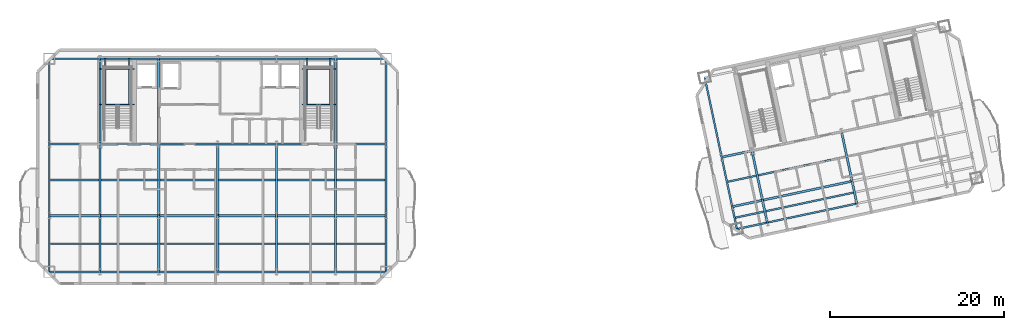
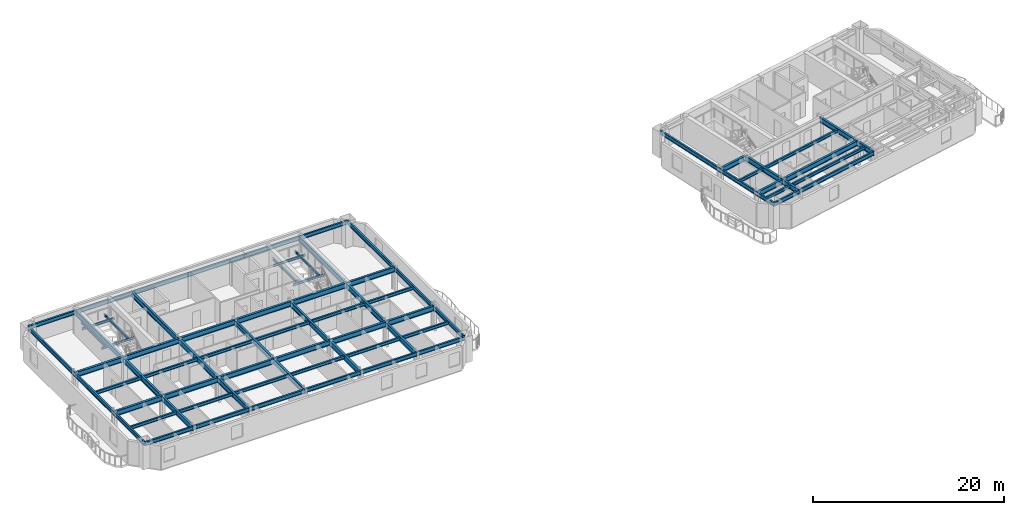
# One storey, part 3 of 13: 79 beams.
"""IFC4 building model written with IfcOpenShell, lengths in metres."""

from ifc_helpers import new_model, si_unit, direction, frame, origin, origin_2d, place, context, subcontext, project, spatial, i_section, extrude, material, material_profile, profile_set, type_object, element, save


model = new_model("IFC4")

# Units and contexts
model_context = context("Model", 3, precision=1e-05, world=origin(), true_north=direction((0.0, 1.0)))
body_context = subcontext(model_context, "Body", "Model", "MODEL_VIEW")
ifc_project = project(units=[si_unit("LENGTHUNIT", "METRE"), si_unit("AREAUNIT", "SQUARE_METRE"), si_unit("VOLUMEUNIT", "CUBIC_METRE"), si_unit("PLANEANGLEUNIT", "RADIAN"), si_unit("MASSUNIT", "GRAM", prefix="KILO")], contexts=[model_context])

# Site, building, storey
site_placement = place(None, origin())
site = spatial("IfcSite", under=ifc_project, at=site_placement, CompositionType="ELEMENT")
building_placement = place(site_placement, origin())
building = spatial("IfcBuilding", under=site, at=building_placement, Name="Haevon Station Towers", CompositionType="ELEMENT")
storey_placement = place(building_placement, frame((0.0, 0.0, 182.39990234375)))
storey = spatial("IfcBuildingStorey", under=building, at=storey_placement, Name="L50", CompositionType="ELEMENT", Elevation=182.39990234375)

# Beams
ifc_material = material(Name="Steel S355", Category="steel")
ifc_material_profile_1 = material_profile(ifc_material, i_section(OverallWidth=0.25, OverallDepth=0.64990234375, WebThickness=0.012939453125, FlangeThickness=0.02197265625, at=origin_2d()), Name="H-650x250x13x22")
ifc_profile_set_1 = profile_set([ifc_material_profile_1], Name="Steel S355")
beam_type_1 = type_object("IfcBeamType", Name="BM-G650", PredefinedType="BEAM", material=ifc_profile_set_1)
beam_1_placement = place(storey_placement, frame((18.199951171875, 30.0, 2.72509765625), z_axis=(1.0, 0.0, 0.0), x_axis=(0.0, 1.0, 0.0)))
element("IfcBeam", 1, at=beam_1_placement, inside=storey, type_object=beam_type_1, Name="BM-T1U-L50-02-01", PredefinedType="BEAM", context=body_context, shape_type="SweptSolid", body=[
    extrude(i_section(OverallWidth=0.25, OverallDepth=0.64990234375, WebThickness=0.012939453125, FlangeThickness=0.02197265625, at=origin_2d()), origin(), (0.0, 0.0, 1.0), 5.800048828125),
])
for number, where, z_axis, x_axis, name in (
    (2, (24.0, 30.0, 2.72509765625), (1.0, 0.0, 0.0), (0.0, 1.0, 0.0), "BM-T1U-L50-02-02"),
    (3, (30.75, 30.0, 2.72509765625), (1.0, 0.0, 0.0), (0.0, 1.0, 0.0), "BM-T1U-L50-02-03"),
    (4, (37.5, 30.0, 2.72509765625), (1.0, 0.0, 0.0), (0.0, 1.0, 0.0), "BM-T1U-L50-02-04"),
    (5, (44.25, 30.0, 2.72509765625), (1.0, 0.0, 0.0), (0.0, 1.0, 0.0), "BM-T1U-L50-02-05"),
):
    element("IfcBeam", number, at=place(storey_placement, frame(where, z_axis=z_axis, x_axis=x_axis)), inside=storey, type_object=beam_type_1, Name=name, PredefinedType="BEAM", context=body_context, shape_type="SweptSolid", body=[
        extrude(i_section(OverallWidth=0.25, OverallDepth=0.64990234375, WebThickness=0.012939453125, FlangeThickness=0.02197265625, at=origin_2d()), origin(), (0.0, 0.0, 1.0), 6.75),
    ])
for number, where, z_axis, x_axis, name in (
    (6, (51.0, 30.0, 2.72509765625), (1.0, 0.0, 0.0), (0.0, 1.0, 0.0), "BM-T1U-L50-02-06"),
    (7, (18.199951171875, 38.199951171875, 2.72509765625), (1.0, 0.0, 0.0), (0.0, 1.0, 0.0), "BM-T1U-L50-03-01"),
):
    element("IfcBeam", number, at=place(storey_placement, frame(where, z_axis=z_axis, x_axis=x_axis)), inside=storey, type_object=beam_type_1, Name=name, PredefinedType="BEAM", context=body_context, shape_type="SweptSolid", body=[
        extrude(i_section(OverallWidth=0.25, OverallDepth=0.64990234375, WebThickness=0.012939453125, FlangeThickness=0.02197265625, at=origin_2d()), origin(), (0.0, 0.0, 1.0), 5.800048828125),
    ])
for number, where, z_axis, x_axis, name in (
    (8, (24.0, 38.199951171875, 2.72509765625), (1.0, 0.0, 0.0), (0.0, 1.0, 0.0), "BM-T1U-L50-03-02"),
    (9, (30.75, 38.199951171875, 2.72509765625), (1.0, 0.0, 0.0), (0.0, 1.0, 0.0), "BM-T1U-L50-03-03"),
    (10, (37.5, 38.199951171875, 2.72509765625), (1.0, 0.0, 0.0), (0.0, 1.0, 0.0), "BM-T1U-L50-03-04"),
    (11, (44.25, 38.199951171875, 2.72509765625), (1.0, 0.0, 0.0), (0.0, 1.0, 0.0), "BM-T1U-L50-03-05"),
):
    element("IfcBeam", number, at=place(storey_placement, frame(where, z_axis=z_axis, x_axis=x_axis)), inside=storey, type_object=beam_type_1, Name=name, PredefinedType="BEAM", context=body_context, shape_type="SweptSolid", body=[
        extrude(i_section(OverallWidth=0.25, OverallDepth=0.64990234375, WebThickness=0.012939453125, FlangeThickness=0.02197265625, at=origin_2d()), origin(), (0.0, 0.0, 1.0), 6.75),
    ])
beam_2_placement = place(storey_placement, frame((51.0, 38.199951171875, 2.72509765625), z_axis=(1.0, 0.0, 0.0), x_axis=(0.0, 1.0, 0.0)))
element("IfcBeam", 12, at=beam_2_placement, inside=storey, type_object=beam_type_1, Name="BM-T1U-L50-03-06", PredefinedType="BEAM", context=body_context, shape_type="SweptSolid", body=[
    extrude(i_section(OverallWidth=0.25, OverallDepth=0.64990234375, WebThickness=0.012939453125, FlangeThickness=0.02197265625, at=origin_2d()), origin(), (0.0, 0.0, 1.0), 5.800048828125),
])
beam_3_placement = place(storey_placement, frame((24.0, 23.550048828125, 2.72509765625), z_axis=(0.0, 1.0, 0.0), x_axis=(-1.0, 0.0, 0.0)))
element("IfcBeam", 13, at=beam_3_placement, inside=storey, type_object=beam_type_1, Name="BM-T1V-L50-02-01", PredefinedType="BEAM", context=body_context, shape_type="SweptSolid", body=[
    extrude(i_section(OverallWidth=0.25, OverallDepth=0.64990234375, WebThickness=0.012939453125, FlangeThickness=0.02197265625, at=origin_2d()), origin(), (0.0, 0.0, 1.0), 6.449951171875),
])
beam_4_placement = place(storey_placement, frame((24.0, 30.0, 2.72509765625), z_axis=(0.0, 1.0, 0.0), x_axis=(-1.0, 0.0, 0.0)))
element("IfcBeam", 14, at=beam_4_placement, inside=storey, type_object=beam_type_1, Name="BM-T1V-L50-02-02", PredefinedType="BEAM", context=body_context, shape_type="SweptSolid", body=[
    extrude(i_section(OverallWidth=0.25, OverallDepth=0.64990234375, WebThickness=0.012939453125, FlangeThickness=0.02197265625, at=origin_2d()), origin(), (0.0, 0.0, 1.0), 8.199951171875),
])
beam_5_placement = place(storey_placement, frame((24.0, 38.199951171875, 2.72509765625), z_axis=(0.0, 1.0, 0.0), x_axis=(-1.0, 0.0, 0.0)))
element("IfcBeam", 15, at=beam_5_placement, inside=storey, type_object=beam_type_1, Name="BM-T1V-L50-02-03", PredefinedType="BEAM", context=body_context, shape_type="SweptSolid", body=[
    extrude(i_section(OverallWidth=0.25, OverallDepth=0.64990234375, WebThickness=0.012939453125, FlangeThickness=0.02197265625, at=origin_2d()), origin(), (0.0, 0.0, 1.0), 9.800048828125),
])
beam_6_placement = place(storey_placement, frame((30.75, 23.550048828125, 2.72509765625), z_axis=(0.0, 1.0, 0.0), x_axis=(-1.0, 0.0, 0.0)))
element("IfcBeam", 16, at=beam_6_placement, inside=storey, type_object=beam_type_1, Name="BM-T1V-L50-03-01", PredefinedType="BEAM", context=body_context, shape_type="SweptSolid", body=[
    extrude(i_section(OverallWidth=0.25, OverallDepth=0.64990234375, WebThickness=0.012939453125, FlangeThickness=0.02197265625, at=origin_2d()), origin(), (0.0, 0.0, 1.0), 6.449951171875),
])
beam_7_placement = place(storey_placement, frame((30.75, 30.0, 2.72509765625), z_axis=(0.0, 1.0, 0.0), x_axis=(-1.0, 0.0, 0.0)))
element("IfcBeam", 17, at=beam_7_placement, inside=storey, type_object=beam_type_1, Name="BM-T1V-L50-03-02", PredefinedType="BEAM", context=body_context, shape_type="SweptSolid", body=[
    extrude(i_section(OverallWidth=0.25, OverallDepth=0.64990234375, WebThickness=0.012939453125, FlangeThickness=0.02197265625, at=origin_2d()), origin(), (0.0, 0.0, 1.0), 8.199951171875),
])
beam_8_placement = place(storey_placement, frame((30.75, 38.199951171875, 2.72509765625), z_axis=(0.0, 1.0, 0.0), x_axis=(-1.0, 0.0, 0.0)))
element("IfcBeam", 18, at=beam_8_placement, inside=storey, type_object=beam_type_1, Name="BM-T1V-L50-03-03", PredefinedType="BEAM", context=body_context, shape_type="SweptSolid", body=[
    extrude(i_section(OverallWidth=0.25, OverallDepth=0.64990234375, WebThickness=0.012939453125, FlangeThickness=0.02197265625, at=origin_2d()), origin(), (0.0, 0.0, 1.0), 9.800048828125),
])
beam_9_placement = place(storey_placement, frame((37.5, 23.550048828125, 2.72509765625), z_axis=(0.0, 1.0, 0.0), x_axis=(-1.0, 0.0, 0.0)))
element("IfcBeam", 19, at=beam_9_placement, inside=storey, type_object=beam_type_1, Name="BM-T1V-L50-04-01", PredefinedType="BEAM", context=body_context, shape_type="SweptSolid", body=[
    extrude(i_section(OverallWidth=0.25, OverallDepth=0.64990234375, WebThickness=0.012939453125, FlangeThickness=0.02197265625, at=origin_2d()), origin(), (0.0, 0.0, 1.0), 6.449951171875),
])
beam_10_placement = place(storey_placement, frame((37.5, 30.0, 2.72509765625), z_axis=(0.0, 1.0, 0.0), x_axis=(-1.0, 0.0, 0.0)))
element("IfcBeam", 20, at=beam_10_placement, inside=storey, type_object=beam_type_1, Name="BM-T1V-L50-04-02", PredefinedType="BEAM", context=body_context, shape_type="SweptSolid", body=[
    extrude(i_section(OverallWidth=0.25, OverallDepth=0.64990234375, WebThickness=0.012939453125, FlangeThickness=0.02197265625, at=origin_2d()), origin(), (0.0, 0.0, 1.0), 8.199951171875),
])
beam_11_placement = place(storey_placement, frame((44.25, 23.550048828125, 2.72509765625), z_axis=(0.0, 1.0, 0.0), x_axis=(-1.0, 0.0, 0.0)))
element("IfcBeam", 21, at=beam_11_placement, inside=storey, type_object=beam_type_1, Name="BM-T1V-L50-05-01", PredefinedType="BEAM", context=body_context, shape_type="SweptSolid", body=[
    extrude(i_section(OverallWidth=0.25, OverallDepth=0.64990234375, WebThickness=0.012939453125, FlangeThickness=0.02197265625, at=origin_2d()), origin(), (0.0, 0.0, 1.0), 6.449951171875),
])
beam_12_placement = place(storey_placement, frame((44.25, 30.0, 2.72509765625), z_axis=(0.0, 1.0, 0.0), x_axis=(-1.0, 0.0, 0.0)))
element("IfcBeam", 22, at=beam_12_placement, inside=storey, type_object=beam_type_1, Name="BM-T1V-L50-05-02", PredefinedType="BEAM", context=body_context, shape_type="SweptSolid", body=[
    extrude(i_section(OverallWidth=0.25, OverallDepth=0.64990234375, WebThickness=0.012939453125, FlangeThickness=0.02197265625, at=origin_2d()), origin(), (0.0, 0.0, 1.0), 8.199951171875),
])
beam_13_placement = place(storey_placement, frame((51.0, 23.550048828125, 2.72509765625), z_axis=(0.0, 1.0, 0.0), x_axis=(-1.0, 0.0, 0.0)))
element("IfcBeam", 23, at=beam_13_placement, inside=storey, type_object=beam_type_1, Name="BM-T1V-L50-06-01", PredefinedType="BEAM", context=body_context, shape_type="SweptSolid", body=[
    extrude(i_section(OverallWidth=0.25, OverallDepth=0.64990234375, WebThickness=0.012939453125, FlangeThickness=0.02197265625, at=origin_2d()), origin(), (0.0, 0.0, 1.0), 6.449951171875),
])
beam_14_placement = place(storey_placement, frame((51.0, 30.0, 2.72509765625), z_axis=(0.0, 1.0, 0.0), x_axis=(-1.0, 0.0, 0.0)))
element("IfcBeam", 24, at=beam_14_placement, inside=storey, type_object=beam_type_1, Name="BM-T1V-L50-06-02", PredefinedType="BEAM", context=body_context, shape_type="SweptSolid", body=[
    extrude(i_section(OverallWidth=0.25, OverallDepth=0.64990234375, WebThickness=0.012939453125, FlangeThickness=0.02197265625, at=origin_2d()), origin(), (0.0, 0.0, 1.0), 8.199951171875),
])
beam_15_placement = place(storey_placement, frame((51.0, 38.199951171875, 2.72509765625), z_axis=(0.0, 1.0, 0.0), x_axis=(-1.0, 0.0, 0.0)))
element("IfcBeam", 25, at=beam_15_placement, inside=storey, type_object=beam_type_1, Name="BM-T1V-L50-06-03", PredefinedType="BEAM", context=body_context, shape_type="SweptSolid", body=[
    extrude(i_section(OverallWidth=0.25, OverallDepth=0.64990234375, WebThickness=0.012939453125, FlangeThickness=0.02197265625, at=origin_2d()), origin(), (0.0, 0.0, 1.0), 9.800048828125),
])
beam_16_placement = place(storey_placement, frame((96.48583984375, 31.031005859375, 2.72509765625), z_axis=(0.978150285663, 0.207899058817, 0.0), x_axis=(-0.207899058817, 0.978150285663, 0.0)))
element("IfcBeam", 26, at=beam_16_placement, inside=storey, type_object=beam_type_1, Name="BM-T2U-L50-02-01", PredefinedType="BEAM", context=body_context, shape_type="SweptSolid", body=[
    extrude(i_section(OverallWidth=0.25, OverallDepth=0.64990234375, WebThickness=0.012939453125, FlangeThickness=0.02197265625, at=origin_2d()), origin(), (0.0, 0.0, 1.0), 3.550048828125),
])
beam_17_placement = place(storey_placement, frame((99.958251953125, 31.76904296875, 2.72509765625), z_axis=(0.978146794194, 0.207915485254, 0.0), x_axis=(-0.207915485254, 0.978146794194, 0.0)))
element("IfcBeam", 27, at=beam_17_placement, inside=storey, type_object=beam_type_1, Name="BM-T2U-L50-02-02", PredefinedType="BEAM", context=body_context, shape_type="SweptSolid", body=[
    extrude(i_section(OverallWidth=0.25, OverallDepth=0.64990234375, WebThickness=0.012939453125, FlangeThickness=0.02197265625, at=origin_2d()), origin(), (0.0, 0.0, 1.0), 10.5),
])
beam_18_placement = place(storey_placement, frame((95.280029296875, 36.704345703125, 2.72509765625), z_axis=(0.978150285663, 0.207899058817, 0.0), x_axis=(-0.207899058817, 0.978150285663, 0.0)))
element("IfcBeam", 28, at=beam_18_placement, inside=storey, type_object=beam_type_1, Name="BM-T2U-L50-03-01", PredefinedType="BEAM", context=body_context, shape_type="SweptSolid", body=[
    extrude(i_section(OverallWidth=0.25, OverallDepth=0.64990234375, WebThickness=0.012939453125, FlangeThickness=0.02197265625, at=origin_2d()), origin(), (0.0, 0.0, 1.0), 3.550048828125),
])
beam_19_placement = place(storey_placement, frame((100.5029296875, 29.206298828125, 2.72509765625), z_axis=(-0.207893304367, 0.978151508714, 0.0), x_axis=(-0.978151508714, -0.207893304367, 0.0)))
element("IfcBeam", 29, at=beam_19_placement, inside=storey, type_object=beam_type_1, Name="BM-T2V-L50-02-01", PredefinedType="BEAM", context=body_context, shape_type="SweptSolid", body=[
    extrude(i_section(OverallWidth=0.25, OverallDepth=0.64990234375, WebThickness=0.012939453125, FlangeThickness=0.02197265625, at=origin_2d()), origin(), (0.0, 0.0, 1.0), 2.619873046875),
])
beam_20_placement = place(storey_placement, frame((99.958251953125, 31.76904296875, 2.72509765625), z_axis=(-0.207896009217, 0.97815093383, 0.0), x_axis=(-0.97815093383, -0.207896009217, 0.0)))
element("IfcBeam", 30, at=beam_20_placement, inside=storey, type_object=beam_type_1, Name="BM-T2V-L50-02-02", PredefinedType="BEAM", context=body_context, shape_type="SweptSolid", body=[
    extrude(i_section(OverallWidth=0.25, OverallDepth=0.64990234375, WebThickness=0.012939453125, FlangeThickness=0.02197265625, at=origin_2d()), origin(), (0.0, 0.0, 1.0), 5.800048828125),
])
beam_21_placement = place(storey_placement, frame((110.7734375, 31.389404296875, 2.72509765625), z_axis=(-0.207893304367, 0.978151508714, 0.0), x_axis=(-0.978151508714, -0.207893304367, 0.0)))
element("IfcBeam", 31, at=beam_21_placement, inside=storey, type_object=beam_type_1, Name="BM-T2V-L50-03-01", PredefinedType="BEAM", context=body_context, shape_type="SweptSolid", body=[
    extrude(i_section(OverallWidth=0.25, OverallDepth=0.64990234375, WebThickness=0.012939453125, FlangeThickness=0.02197265625, at=origin_2d()), origin(), (0.0, 0.0, 1.0), 2.619873046875),
])
beam_22_placement = place(storey_placement, frame((110.228759765625, 33.9521484375, 2.72509765625), z_axis=(-0.207896009217, 0.97815093383, 0.0), x_axis=(-0.97815093383, -0.207896009217, 0.0)))
element("IfcBeam", 32, at=beam_22_placement, inside=storey, type_object=beam_type_1, Name="BM-T2V-L50-03-02", PredefinedType="BEAM", context=body_context, shape_type="SweptSolid", body=[
    extrude(i_section(OverallWidth=0.25, OverallDepth=0.64990234375, WebThickness=0.012939453125, FlangeThickness=0.02197265625, at=origin_2d()), origin(), (0.0, 0.0, 1.0), 5.800048828125),
])
ifc_material_profile_2 = material_profile(ifc_material, i_section(OverallWidth=0.199951171875, OverallDepth=0.39990234375, WebThickness=0.008056640625, FlangeThickness=0.012939453125, at=origin_2d()), Name="H-400x200x8x13")
ifc_profile_set_2 = profile_set([ifc_material_profile_2], Name="Steel S355")
beam_type_2 = type_object("IfcBeamType", Name="BM-J400", PredefinedType="JOIST", material=ifc_profile_set_2)
beam_23_placement = place(storey_placement, frame((18.31005859375, 26.77490234375, 2.85009765625), z_axis=(1.0, 0.0, 0.0), x_axis=(0.0, 1.0, 0.0)))
element("IfcBeam", 33, at=beam_23_placement, inside=storey, type_object=beam_type_2, Name="BM-T1J-L50-01-01", PredefinedType="JOIST", context=body_context, shape_type="SweptSolid", body=[
    extrude(i_section(OverallWidth=0.199951171875, OverallDepth=0.39990234375, WebThickness=0.008056640625, FlangeThickness=0.012939453125, at=origin_2d()), origin(), (0.0, 0.0, 1.0), 5.579833984375),
])
for number, where, z_axis, x_axis, name in (
    (34, (24.110107421875, 26.77490234375, 2.85009765625), (1.0, 0.0, 0.0), (0.0, 1.0, 0.0), "BM-T1J-L50-01-02"),
    (35, (30.860107421875, 26.77490234375, 2.85009765625), (1.0, 0.0, 0.0), (0.0, 1.0, 0.0), "BM-T1J-L50-01-03"),
    (36, (37.610107421875, 26.77490234375, 2.85009765625), (1.0, 0.0, 0.0), (0.0, 1.0, 0.0), "BM-T1J-L50-01-04"),
    (37, (44.360107421875, 26.77490234375, 2.85009765625), (1.0, 0.0, 0.0), (0.0, 1.0, 0.0), "BM-T1J-L50-01-05"),
):
    element("IfcBeam", number, at=place(storey_placement, frame(where, z_axis=z_axis, x_axis=x_axis)), inside=storey, type_object=beam_type_2, Name=name, PredefinedType="JOIST", context=body_context, shape_type="SweptSolid", body=[
        extrude(i_section(OverallWidth=0.199951171875, OverallDepth=0.39990234375, WebThickness=0.008056640625, FlangeThickness=0.012939453125, at=origin_2d()), origin(), (0.0, 0.0, 1.0), 6.52978515625),
    ])
for number, where, z_axis, x_axis, name in (
    (38, (51.110107421875, 26.77490234375, 2.85009765625), (1.0, 0.0, 0.0), (0.0, 1.0, 0.0), "BM-T1J-L50-01-06"),
    (39, (18.31005859375, 34.10009765625, 2.85009765625), (1.0, 0.0, 0.0), (0.0, 1.0, 0.0), "BM-T1J-L50-02-01"),
):
    element("IfcBeam", number, at=place(storey_placement, frame(where, z_axis=z_axis, x_axis=x_axis)), inside=storey, type_object=beam_type_2, Name=name, PredefinedType="JOIST", context=body_context, shape_type="SweptSolid", body=[
        extrude(i_section(OverallWidth=0.199951171875, OverallDepth=0.39990234375, WebThickness=0.008056640625, FlangeThickness=0.012939453125, at=origin_2d()), origin(), (0.0, 0.0, 1.0), 5.579833984375),
    ])
for number, where, z_axis, x_axis, name in (
    (40, (24.110107421875, 34.10009765625, 2.85009765625), (1.0, 0.0, 0.0), (0.0, 1.0, 0.0), "BM-T1J-L50-02-02"),
    (41, (30.860107421875, 34.10009765625, 2.85009765625), (1.0, 0.0, 0.0), (0.0, 1.0, 0.0), "BM-T1J-L50-02-03"),
    (42, (37.610107421875, 34.10009765625, 2.85009765625), (1.0, 0.0, 0.0), (0.0, 1.0, 0.0), "BM-T1J-L50-02-04"),
    (43, (44.360107421875, 34.10009765625, 2.85009765625), (1.0, 0.0, 0.0), (0.0, 1.0, 0.0), "BM-T1J-L50-02-05"),
):
    element("IfcBeam", number, at=place(storey_placement, frame(where, z_axis=z_axis, x_axis=x_axis)), inside=storey, type_object=beam_type_2, Name=name, PredefinedType="JOIST", context=body_context, shape_type="SweptSolid", body=[
        extrude(i_section(OverallWidth=0.199951171875, OverallDepth=0.39990234375, WebThickness=0.008056640625, FlangeThickness=0.012939453125, at=origin_2d()), origin(), (0.0, 0.0, 1.0), 6.52978515625),
    ])
beam_24_placement = place(storey_placement, frame((51.110107421875, 34.10009765625, 2.85009765625), z_axis=(1.0, 0.0, 0.0), x_axis=(0.0, 1.0, 0.0)))
element("IfcBeam", 44, at=beam_24_placement, inside=storey, type_object=beam_type_2, Name="BM-T1J-L50-02-06", PredefinedType="JOIST", context=body_context, shape_type="SweptSolid", body=[
    extrude(i_section(OverallWidth=0.199951171875, OverallDepth=0.39990234375, WebThickness=0.008056640625, FlangeThickness=0.012939453125, at=origin_2d()), origin(), (0.0, 0.0, 1.0), 5.579833984375),
])
beam_25_placement = place(storey_placement, frame((96.86572265625, 29.7724609375, 2.85009765625), z_axis=(0.978146551768, 0.207916625754, 0.0), x_axis=(-0.207916625754, 0.978146551768, 0.0)))
element("IfcBeam", 45, at=beam_25_placement, inside=storey, type_object=beam_type_2, Name="BM-T2J-L50-01-01", PredefinedType="JOIST", context=body_context, shape_type="SweptSolid", body=[
    extrude(i_section(OverallWidth=0.199951171875, OverallDepth=0.39990234375, WebThickness=0.008056640625, FlangeThickness=0.012939453125, at=origin_2d()), origin(), (0.0, 0.0, 1.0), 3.330078125),
])
beam_26_placement = place(storey_placement, frame((100.338134765625, 30.5107421875, 2.85009765625), z_axis=(0.978150339653, 0.207898804801, 0.0), x_axis=(-0.207898804801, 0.978150339653, 0.0)))
element("IfcBeam", 46, at=beam_26_placement, inside=storey, type_object=beam_type_2, Name="BM-T2J-L50-01-02", PredefinedType="JOIST", context=body_context, shape_type="SweptSolid", body=[
    extrude(i_section(OverallWidth=0.199951171875, OverallDepth=0.39990234375, WebThickness=0.008056640625, FlangeThickness=0.012939453125, at=origin_2d()), origin(), (0.0, 0.0, 1.0), 10.280029296875),
])
beam_27_placement = place(storey_placement, frame((95.990478515625, 33.890625, 2.85009765625), z_axis=(0.978146551768, 0.207916625754, 0.0), x_axis=(-0.207916625754, 0.978146551768, 0.0)))
element("IfcBeam", 47, at=beam_27_placement, inside=storey, type_object=beam_type_2, Name="BM-T2J-L50-02-01", PredefinedType="JOIST", context=body_context, shape_type="SweptSolid", body=[
    extrude(i_section(OverallWidth=0.199951171875, OverallDepth=0.39990234375, WebThickness=0.008056640625, FlangeThickness=0.012939453125, at=origin_2d()), origin(), (0.0, 0.0, 1.0), 3.330078125),
])
beam_28_placement = place(storey_placement, frame((99.462890625, 34.628662109375, 2.85009765625), z_axis=(0.978150339653, 0.207898804801, 0.0), x_axis=(-0.207898804801, 0.978150339653, 0.0)))
element("IfcBeam", 48, at=beam_28_placement, inside=storey, type_object=beam_type_2, Name="BM-T2J-L50-02-02", PredefinedType="JOIST", context=body_context, shape_type="SweptSolid", body=[
    extrude(i_section(OverallWidth=0.199951171875, OverallDepth=0.39990234375, WebThickness=0.008056640625, FlangeThickness=0.012939453125, at=origin_2d()), origin(), (0.0, 0.0, 1.0), 10.280029296875),
])
ifc_material_profile_3 = material_profile(ifc_material, i_section(OverallWidth=0.14990234375, OverallDepth=0.300048828125, WebThickness=0.006591796875, FlangeThickness=0.009033203125, at=origin_2d()), Name="H-300x150x6.5x9")
ifc_profile_set_3 = profile_set([ifc_material_profile_3], Name="Steel S355")
beam_type_3 = type_object("IfcBeamType", Name="BM-LIN300", PredefinedType="LINTEL", material=ifc_profile_set_3)
for number, where, z_axis, x_axis, name in (
    (49, (24.0, 42.743896484375, 1.300048828125), (1.0, 0.0, 0.0), (0.0, 1.0, 0.0), "BM-ST1L-L50-1-S"),
    (50, (24.0, 46.820068359375, 1.300048828125), (1.0, 0.0, 0.0), (0.0, 1.0, 0.0), "BM-ST1L-L50-1-N"),
):
    element("IfcBeam", number, at=place(storey_placement, frame(where, z_axis=z_axis, x_axis=x_axis)), inside=storey, type_object=beam_type_3, Name=name, PredefinedType="LINTEL", context=body_context, shape_type="SweptSolid", body=[
        extrude(i_section(OverallWidth=0.14990234375, OverallDepth=0.300048828125, WebThickness=0.006591796875, FlangeThickness=0.009033203125, at=origin_2d()), origin(), (0.0, 0.0, 1.0), 3.949951171875),
    ])
for number, where, z_axis, x_axis, name in (
    (51, (24.60009765625, 42.743896484375, 1.300048828125), (0.0, 1.0, 0.0), (-1.0, 0.0, 0.0), "BM-ST1L-L50-1-W"),
    (52, (27.35009765625, 42.743896484375, 1.300048828125), (0.0, 1.0, 0.0), (-1.0, 0.0, 0.0), "BM-ST1L-L50-1-E"),
):
    element("IfcBeam", number, at=place(storey_placement, frame(where, z_axis=z_axis, x_axis=x_axis)), inside=storey, type_object=beam_type_3, Name=name, PredefinedType="LINTEL", context=body_context, shape_type="SweptSolid", body=[
        extrude(i_section(OverallWidth=0.14990234375, OverallDepth=0.300048828125, WebThickness=0.006591796875, FlangeThickness=0.009033203125, at=origin_2d()), origin(), (0.0, 0.0, 1.0), 5.256103515625),
    ])
for number, where, z_axis, x_axis, name in (
    (53, (47.14990234375, 42.743896484375, 1.300048828125), (1.0, 0.0, 0.0), (0.0, 1.0, 0.0), "BM-ST2L-L50-1-S"),
    (54, (47.14990234375, 46.820068359375, 1.300048828125), (1.0, 0.0, 0.0), (0.0, 1.0, 0.0), "BM-ST2L-L50-1-N"),
):
    element("IfcBeam", number, at=place(storey_placement, frame(where, z_axis=z_axis, x_axis=x_axis)), inside=storey, type_object=beam_type_3, Name=name, PredefinedType="LINTEL", context=body_context, shape_type="SweptSolid", body=[
        extrude(i_section(OverallWidth=0.14990234375, OverallDepth=0.300048828125, WebThickness=0.006591796875, FlangeThickness=0.009033203125, at=origin_2d()), origin(), (0.0, 0.0, 1.0), 3.85009765625),
    ])
for number, where, z_axis, x_axis, name in (
    (55, (47.75, 42.743896484375, 1.300048828125), (0.0, 1.0, 0.0), (-1.0, 0.0, 0.0), "BM-ST2L-L50-1-W"),
    (56, (50.39990234375, 42.743896484375, 1.300048828125), (0.0, 1.0, 0.0), (-1.0, 0.0, 0.0), "BM-ST2L-L50-1-E"),
):
    element("IfcBeam", number, at=place(storey_placement, frame(where, z_axis=z_axis, x_axis=x_axis)), inside=storey, type_object=beam_type_3, Name=name, PredefinedType="LINTEL", context=body_context, shape_type="SweptSolid", body=[
        extrude(i_section(OverallWidth=0.14990234375, OverallDepth=0.300048828125, WebThickness=0.006591796875, FlangeThickness=0.009033203125, at=origin_2d()), origin(), (0.0, 0.0, 1.0), 5.256103515625),
    ])
ifc_material_profile_4 = material_profile(ifc_material, i_section(OverallWidth=0.199951171875, OverallDepth=0.5, WebThickness=0.010009765625, FlangeThickness=0.01611328125, at=origin_2d()), Name="H-500x200x10x16")
ifc_profile_set_4 = profile_set([ifc_material_profile_4], Name="Steel S355")
beam_type_4 = type_object("IfcBeamType", Name="BM-SP500", PredefinedType="SPANDREL", material=ifc_profile_set_4)
beam_29_placement = place(storey_placement, frame((18.199951171875, 23.550048828125, 2.800048828125), z_axis=(1.0, 0.0, 0.0), x_axis=(0.0, 1.0, 0.0)))
element("IfcBeam", 57, at=beam_29_placement, inside=storey, type_object=beam_type_4, Name="BM-T1U-L50-01-01", PredefinedType="SPANDREL", context=body_context, shape_type="SweptSolid", body=[
    extrude(i_section(OverallWidth=0.199951171875, OverallDepth=0.5, WebThickness=0.010009765625, FlangeThickness=0.01611328125, at=origin_2d()), origin(), (0.0, 0.0, 1.0), 5.800048828125),
])
for number, where, z_axis, x_axis, name in (
    (58, (24.0, 23.550048828125, 2.800048828125), (1.0, 0.0, 0.0), (0.0, 1.0, 0.0), "BM-T1U-L50-01-02"),
    (59, (30.75, 23.550048828125, 2.800048828125), (1.0, 0.0, 0.0), (0.0, 1.0, 0.0), "BM-T1U-L50-01-03"),
    (60, (37.5, 23.550048828125, 2.800048828125), (1.0, 0.0, 0.0), (0.0, 1.0, 0.0), "BM-T1U-L50-01-04"),
    (61, (44.25, 23.550048828125, 2.800048828125), (1.0, 0.0, 0.0), (0.0, 1.0, 0.0), "BM-T1U-L50-01-05"),
):
    element("IfcBeam", number, at=place(storey_placement, frame(where, z_axis=z_axis, x_axis=x_axis)), inside=storey, type_object=beam_type_4, Name=name, PredefinedType="SPANDREL", context=body_context, shape_type="SweptSolid", body=[
        extrude(i_section(OverallWidth=0.199951171875, OverallDepth=0.5, WebThickness=0.010009765625, FlangeThickness=0.01611328125, at=origin_2d()), origin(), (0.0, 0.0, 1.0), 6.75),
    ])
for number, where, z_axis, x_axis, name in (
    (62, (51.0, 23.550048828125, 2.800048828125), (1.0, 0.0, 0.0), (0.0, 1.0, 0.0), "BM-T1U-L50-01-06"),
    (63, (18.199951171875, 48.0, 2.800048828125), (1.0, 0.0, 0.0), (0.0, 1.0, 0.0), "BM-T1U-L50-04-01"),
):
    element("IfcBeam", number, at=place(storey_placement, frame(where, z_axis=z_axis, x_axis=x_axis)), inside=storey, type_object=beam_type_4, Name=name, PredefinedType="SPANDREL", context=body_context, shape_type="SweptSolid", body=[
        extrude(i_section(OverallWidth=0.199951171875, OverallDepth=0.5, WebThickness=0.010009765625, FlangeThickness=0.01611328125, at=origin_2d()), origin(), (0.0, 0.0, 1.0), 5.800048828125),
    ])
for number, where, z_axis, x_axis, name in (
    (64, (24.0, 48.0, 2.800048828125), (1.0, 0.0, 0.0), (0.0, 1.0, 0.0), "BM-T1U-L50-04-02"),
    (65, (30.75, 48.0, 2.800048828125), (1.0, 0.0, 0.0), (0.0, 1.0, 0.0), "BM-T1U-L50-04-03"),
    (66, (37.5, 48.0, 2.800048828125), (1.0, 0.0, 0.0), (0.0, 1.0, 0.0), "BM-T1U-L50-04-04"),
    (67, (44.25, 48.0, 2.800048828125), (1.0, 0.0, 0.0), (0.0, 1.0, 0.0), "BM-T1U-L50-04-05"),
):
    element("IfcBeam", number, at=place(storey_placement, frame(where, z_axis=z_axis, x_axis=x_axis)), inside=storey, type_object=beam_type_4, Name=name, PredefinedType="SPANDREL", context=body_context, shape_type="SweptSolid", body=[
        extrude(i_section(OverallWidth=0.199951171875, OverallDepth=0.5, WebThickness=0.010009765625, FlangeThickness=0.01611328125, at=origin_2d()), origin(), (0.0, 0.0, 1.0), 6.75),
    ])
beam_30_placement = place(storey_placement, frame((51.0, 48.0, 2.800048828125), z_axis=(1.0, 0.0, 0.0), x_axis=(0.0, 1.0, 0.0)))
element("IfcBeam", 68, at=beam_30_placement, inside=storey, type_object=beam_type_4, Name="BM-T1U-L50-04-06", PredefinedType="SPANDREL", context=body_context, shape_type="SweptSolid", body=[
    extrude(i_section(OverallWidth=0.199951171875, OverallDepth=0.5, WebThickness=0.010009765625, FlangeThickness=0.01611328125, at=origin_2d()), origin(), (0.0, 0.0, 1.0), 5.800048828125),
])
beam_31_placement = place(storey_placement, frame((18.199951171875, 23.550048828125, 2.800048828125), z_axis=(0.0, 1.0, 0.0), x_axis=(-1.0, 0.0, 0.0)))
element("IfcBeam", 69, at=beam_31_placement, inside=storey, type_object=beam_type_4, Name="BM-T1V-L50-01-01", PredefinedType="SPANDREL", context=body_context, shape_type="SweptSolid", body=[
    extrude(i_section(OverallWidth=0.199951171875, OverallDepth=0.5, WebThickness=0.010009765625, FlangeThickness=0.01611328125, at=origin_2d()), origin(), (0.0, 0.0, 1.0), 6.449951171875),
])
beam_32_placement = place(storey_placement, frame((18.199951171875, 30.0, 2.800048828125), z_axis=(0.0, 1.0, 0.0), x_axis=(-1.0, 0.0, 0.0)))
element("IfcBeam", 70, at=beam_32_placement, inside=storey, type_object=beam_type_4, Name="BM-T1V-L50-01-02", PredefinedType="SPANDREL", context=body_context, shape_type="SweptSolid", body=[
    extrude(i_section(OverallWidth=0.199951171875, OverallDepth=0.5, WebThickness=0.010009765625, FlangeThickness=0.01611328125, at=origin_2d()), origin(), (0.0, 0.0, 1.0), 8.199951171875),
])
beam_33_placement = place(storey_placement, frame((18.199951171875, 38.199951171875, 2.800048828125), z_axis=(0.0, 1.0, 0.0), x_axis=(-1.0, 0.0, 0.0)))
element("IfcBeam", 71, at=beam_33_placement, inside=storey, type_object=beam_type_4, Name="BM-T1V-L50-01-03", PredefinedType="SPANDREL", context=body_context, shape_type="SweptSolid", body=[
    extrude(i_section(OverallWidth=0.199951171875, OverallDepth=0.5, WebThickness=0.010009765625, FlangeThickness=0.01611328125, at=origin_2d()), origin(), (0.0, 0.0, 1.0), 9.800048828125),
])
beam_34_placement = place(storey_placement, frame((56.800048828125, 23.550048828125, 2.800048828125), z_axis=(0.0, 1.0, 0.0), x_axis=(-1.0, 0.0, 0.0)))
element("IfcBeam", 72, at=beam_34_placement, inside=storey, type_object=beam_type_4, Name="BM-T1V-L50-07-01", PredefinedType="SPANDREL", context=body_context, shape_type="SweptSolid", body=[
    extrude(i_section(OverallWidth=0.199951171875, OverallDepth=0.5, WebThickness=0.010009765625, FlangeThickness=0.01611328125, at=origin_2d()), origin(), (0.0, 0.0, 1.0), 6.449951171875),
])
beam_35_placement = place(storey_placement, frame((56.800048828125, 30.0, 2.800048828125), z_axis=(0.0, 1.0, 0.0), x_axis=(-1.0, 0.0, 0.0)))
element("IfcBeam", 73, at=beam_35_placement, inside=storey, type_object=beam_type_4, Name="BM-T1V-L50-07-02", PredefinedType="SPANDREL", context=body_context, shape_type="SweptSolid", body=[
    extrude(i_section(OverallWidth=0.199951171875, OverallDepth=0.5, WebThickness=0.010009765625, FlangeThickness=0.01611328125, at=origin_2d()), origin(), (0.0, 0.0, 1.0), 8.199951171875),
])
beam_36_placement = place(storey_placement, frame((56.800048828125, 38.199951171875, 2.800048828125), z_axis=(0.0, 1.0, 0.0), x_axis=(-1.0, 0.0, 0.0)))
element("IfcBeam", 74, at=beam_36_placement, inside=storey, type_object=beam_type_4, Name="BM-T1V-L50-07-03", PredefinedType="SPANDREL", context=body_context, shape_type="SweptSolid", body=[
    extrude(i_section(OverallWidth=0.199951171875, OverallDepth=0.5, WebThickness=0.010009765625, FlangeThickness=0.01611328125, at=origin_2d()), origin(), (0.0, 0.0, 1.0), 9.800048828125),
])
beam_37_placement = place(storey_placement, frame((97.030517578125, 28.46826171875, 2.800048828125), z_axis=(0.978150285663, 0.207899058817, 0.0), x_axis=(-0.207899058817, 0.978150285663, 0.0)))
element("IfcBeam", 75, at=beam_37_placement, inside=storey, type_object=beam_type_4, Name="BM-T2U-L50-01-01", PredefinedType="SPANDREL", context=body_context, shape_type="SweptSolid", body=[
    extrude(i_section(OverallWidth=0.199951171875, OverallDepth=0.5, WebThickness=0.010009765625, FlangeThickness=0.01611328125, at=origin_2d()), origin(), (0.0, 0.0, 1.0), 3.550048828125),
])
beam_38_placement = place(storey_placement, frame((100.5029296875, 29.206298828125, 2.800048828125), z_axis=(0.978146794194, 0.207915485254, 0.0), x_axis=(-0.207915485254, 0.978146794194, 0.0)))
element("IfcBeam", 76, at=beam_38_placement, inside=storey, type_object=beam_type_4, Name="BM-T2U-L50-01-02", PredefinedType="SPANDREL", context=body_context, shape_type="SweptSolid", body=[
    extrude(i_section(OverallWidth=0.199951171875, OverallDepth=0.5, WebThickness=0.010009765625, FlangeThickness=0.01611328125, at=origin_2d()), origin(), (0.0, 0.0, 1.0), 10.5),
])
beam_39_placement = place(storey_placement, frame((97.030517578125, 28.46826171875, 2.800048828125), z_axis=(-0.207893304367, 0.978151508714, 0.0), x_axis=(-0.978151508714, -0.207893304367, 0.0)))
element("IfcBeam", 77, at=beam_39_placement, inside=storey, type_object=beam_type_4, Name="BM-T2V-L50-01-01", PredefinedType="SPANDREL", context=body_context, shape_type="SweptSolid", body=[
    extrude(i_section(OverallWidth=0.199951171875, OverallDepth=0.5, WebThickness=0.010009765625, FlangeThickness=0.01611328125, at=origin_2d()), origin(), (0.0, 0.0, 1.0), 2.619873046875),
])
beam_40_placement = place(storey_placement, frame((96.48583984375, 31.031005859375, 2.800048828125), z_axis=(-0.207896009217, 0.97815093383, 0.0), x_axis=(-0.97815093383, -0.207896009217, 0.0)))
element("IfcBeam", 78, at=beam_40_placement, inside=storey, type_object=beam_type_4, Name="BM-T2V-L50-01-02", PredefinedType="SPANDREL", context=body_context, shape_type="SweptSolid", body=[
    extrude(i_section(OverallWidth=0.199951171875, OverallDepth=0.5, WebThickness=0.010009765625, FlangeThickness=0.01611328125, at=origin_2d()), origin(), (0.0, 0.0, 1.0), 5.800048828125),
])
beam_41_placement = place(storey_placement, frame((95.280029296875, 36.704345703125, 2.800048828125), z_axis=(-0.207922149488, 0.978145377616, 0.0), x_axis=(-0.978145377616, -0.207922149488, 0.0)))
element("IfcBeam", 79, at=beam_41_placement, inside=storey, type_object=beam_type_4, Name="BM-T2V-L50-01-03", PredefinedType="SPANDREL", context=body_context, shape_type="SweptSolid", body=[
    extrude(i_section(OverallWidth=0.199951171875, OverallDepth=0.5, WebThickness=0.010009765625, FlangeThickness=0.01611328125, at=origin_2d()), origin(), (0.0, 0.0, 1.0), 9.35009765625),
])

save(model, "model.ifc")
